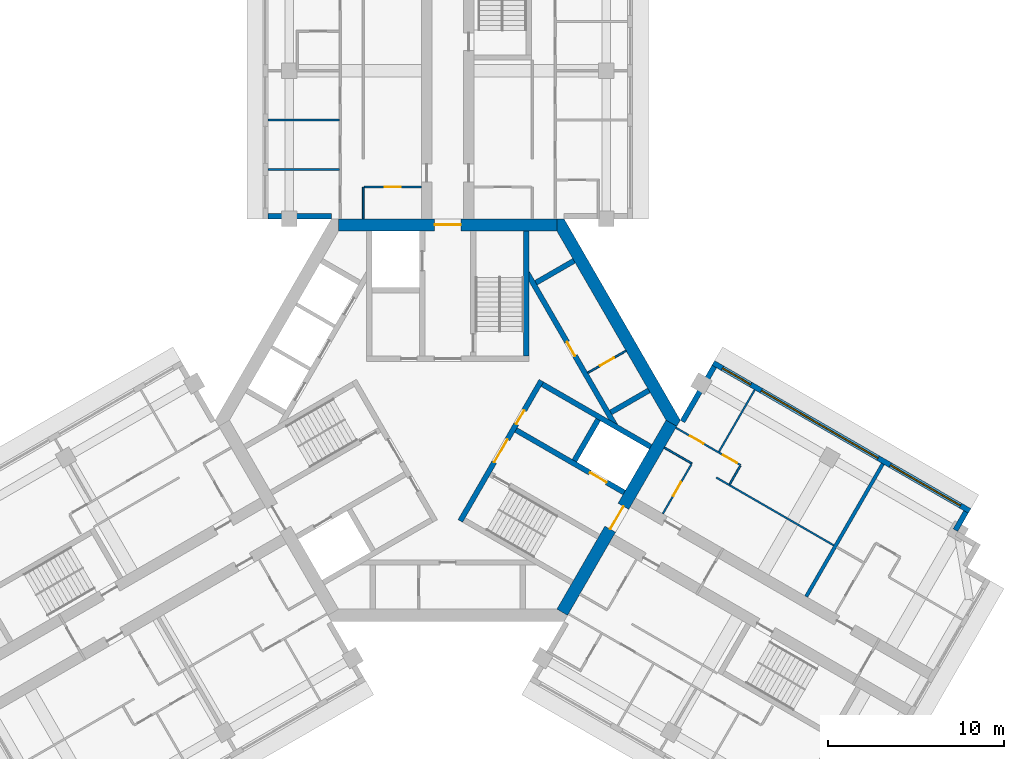
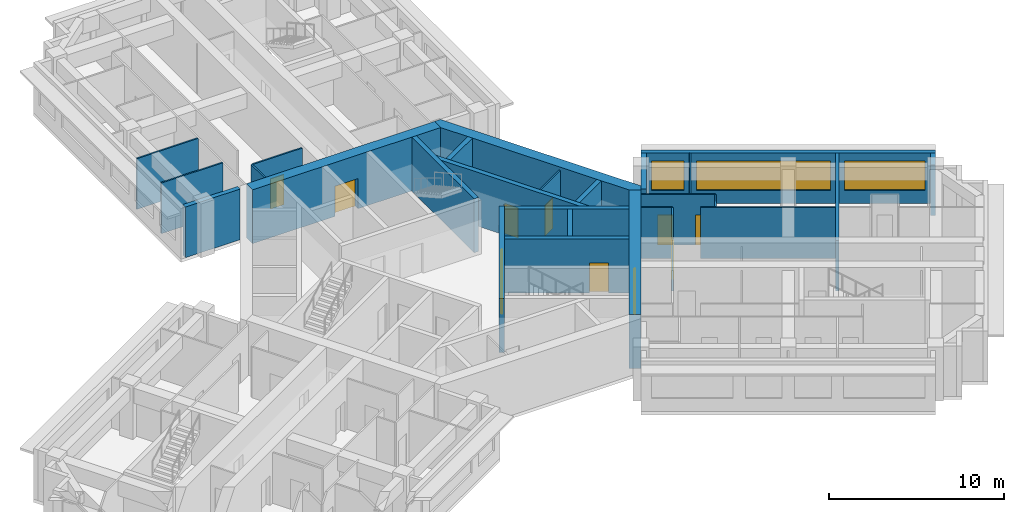
# One storey, part 6 of 10: 27 walls, 11 doors, 3 windows, 14 openings.
"""IFC4 building model written with IfcOpenShell, lengths in metres."""

from ifc_helpers import new_model, si_unit, direction, frame, frame_2d, origin, place, context, subcontext, project, spatial, polyline, rectangle, outline, extrude, material, layer, layer_set, type_object, element, fill, save


model = new_model("IFC4")

# Units and contexts
model_context = context("Model", 3, precision=1e-05, world=origin(), true_north=direction((0.0, 1.0)))
body_context = subcontext(model_context, "Body", "Model", "MODEL_VIEW")
ifc_project = project(units=[si_unit("LENGTHUNIT", "METRE"), si_unit("AREAUNIT", "SQUARE_METRE"), si_unit("VOLUMEUNIT", "CUBIC_METRE"), si_unit("PLANEANGLEUNIT", "RADIAN"), si_unit("MASSUNIT", "GRAM", prefix="KILO")], contexts=[model_context])

# Site, building, storey
site_placement = place(None, origin())
site = spatial("IfcSite", under=ifc_project, at=site_placement, CompositionType="ELEMENT")
building_placement = place(site_placement, origin())
building = spatial("IfcBuilding", under=site, at=building_placement, Name="Impinga Residences", CompositionType="ELEMENT")
storey_placement = place(building_placement, frame((0.0, 0.0, 252.25)))
storey = spatial("IfcBuildingStorey", under=building, at=storey_placement, Name="L63", CompositionType="ELEMENT", Elevation=252.25)

# Wall, opening, door
ifc_material_1 = material(Name="Concrete blockwork", Category="masonry")
ifc_layer_1 = layer(ifc_material_1, 0.10009765625)
ifc_layer_set_1 = layer_set([ifc_layer_1], Name="CP1 core room partition, blockwork 100")
wall_type_1 = type_object("IfcWallType", Name="CP1 core room partition, blockwork 100", PredefinedType="PARTITIONING", material=ifc_layer_set_1)
wall_1_placement = place(storey_placement, frame((7.95361328125, 2.686767578125, 0.0), z_axis=(0.0, 0.0, 1.0), x_axis=(0.866047370643, 0.499961950354, 0.0)))
wall_1 = element("IfcWall", 1, at=wall_1_placement, inside=storey, type_object=wall_type_1, Name="Core room partition, blockwork L63:CORE:mid:ZP1", PredefinedType="PARTITIONING", context=body_context, shape_type="SweptSolid", body=[
    extrude(rectangle(XDim=2.500244140625, YDim=0.10009765625, at=frame_2d((1.25, 0.0))), origin(), (0.0, 0.0, 1.0), 3.530029296875),
])
opening_1_placement = place(wall_1_placement, frame((0.800048828125, 0.0, 0.0)))
opening_1 = element("IfcOpeningElement", 2, at=opening_1_placement, cuts=wall_1, Name="Opening D6", PredefinedType="OPENING", context=body_context, shape_type="SweptSolid", body=[
    extrude(rectangle(XDim=0.89990234375, YDim=2.10009765625, at=frame_2d((0.449951171875, 1.050048828125))), frame((0.0, 0.06005859375, 0.0), z_axis=(0.0, -1.0, 0.0), x_axis=(1.0, 0.0, 0.0)), (0.0, 0.0, 1.0), 0.1201171875),
])
ifc_material_2 = material(Name="Timber door set", Category="wood")
door_type_1 = type_object("IfcDoorType", Name="D6 riser and store door 900x2100", OperationType="SINGLE_SWING_LEFT", PredefinedType="DOOR", material=ifc_material_2)
door_1_placement = place(opening_1_placement, origin())
door_1 = element("IfcDoor", 3, at=door_1_placement, inside=storey, type_object=door_type_1, Name="Residents' storage lockers door", OperationType="SINGLE_SWING_LEFT", OverallHeight=2.10009765625, OverallWidth=0.89990234375, PredefinedType="DOOR", context=body_context, shape_type="SweptSolid", body=[
    extrude(rectangle(XDim=0.89990234375, YDim=2.10009765625, at=frame_2d((0.449951171875, 1.050048828125))), frame((0.0, 0.02490234375, 0.0), z_axis=(0.0, -1.0, 0.0), x_axis=(1.0, 0.0, 0.0)), (0.0, 0.0, 1.0), 0.050048828125),
])
fill(opening_1, door_1)

# Walls
ifc_material_3 = material(Name="Terracotta rainscreen on blockwork", Category="masonry")
ifc_layer_2 = layer(ifc_material_3, 0.300048828125)
ifc_layer_set_2 = layer_set([ifc_layer_2], Name="EW1 external wall, terracotta rainscreen on blockwork 300")
wall_type_2 = type_object("IfcWallType", Name="EW1 external wall, terracotta rainscreen on blockwork 300", PredefinedType="SOLIDWALL", material=ifc_layer_set_2)
wall_2_placement = place(storey_placement, frame((-6.60009765625, 11.58154296875, 0.0), z_axis=(0.0, 0.0, 1.0), x_axis=(-1.0, 0.0, 0.0)))
element("IfcWall", 4, at=wall_2_placement, inside=storey, type_object=wall_type_2, Name="External wall EW1 L63", PredefinedType="SOLIDWALL", context=body_context, shape_type="SweptSolid", body=[
    extrude(rectangle(XDim=3.599853515625, YDim=0.300048828125, at=frame_2d((1.7998046875, 0.0))), origin(), (0.0, 0.0, 1.0), 3.530029296875),
])
wall_3_placement = place(storey_placement, frame((13.329833984375, -0.074951171875, 0.0), z_axis=(0.0, 0.0, 1.0), x_axis=(0.500012057535, 0.866018442252, 0.0)))
element("IfcWall", 5, at=wall_3_placement, inside=storey, type_object=wall_type_2, Name="External wall EW1 L63", PredefinedType="SOLIDWALL", context=body_context, shape_type="SweptSolid", body=[
    extrude(rectangle(XDim=3.60009765625, YDim=0.300048828125, at=frame_2d((1.800048828125, 0.0))), origin(), (0.0, 0.0, 1.0), 3.530029296875),
])

# Wall, openings, windows
wall_4_placement = place(storey_placement, frame((15.074951171875, 3.24755859375, 0.0), z_axis=(0.0, 0.0, 1.0), x_axis=(0.86602925447, -0.499993330357, 0.0)))
wall_4 = element("IfcWall", 6, at=wall_4_placement, inside=storey, type_object=wall_type_2, Name="External wall EW1 L63", PredefinedType="SOLIDWALL", context=body_context, shape_type="SweptSolid", body=[
    extrude(rectangle(XDim=16.800048828125, YDim=0.300048828125, at=frame_2d((8.39990234375, 0.0))), origin(), (0.0, 0.0, 1.0), 3.530029296875),
])
opening_2_placement = place(wall_4_placement, frame((0.60009765625, 0.0, 0.89990234375)))
opening_2 = element("IfcOpeningElement", 7, at=opening_2_placement, cuts=wall_4, Name="Opening W15", PredefinedType="OPENING", context=body_context, shape_type="SweptSolid", body=[
    extrude(rectangle(XDim=1.85009765625, YDim=2.050048828125, at=frame_2d((0.925048828125, 1.02490234375))), frame((0.0, 0.159912109375, 0.0), z_axis=(0.0, -1.0, 0.0), x_axis=(1.0, 0.0, 0.0)), (0.0, 0.0, 1.0), 0.320068359375),
])
opening_3_placement = place(wall_4_placement, frame((3.14990234375, 0.0, 0.89990234375)))
opening_3 = element("IfcOpeningElement", 8, at=opening_3_placement, cuts=wall_4, Name="Opening W13", PredefinedType="OPENING", context=body_context, shape_type="SweptSolid", body=[
    extrude(rectangle(XDim=7.64990234375, YDim=2.050048828125, at=frame_2d((3.824951171875, 1.02490234375))), frame((0.0, 0.159912109375, 0.0), z_axis=(0.0, -1.0, 0.0), x_axis=(1.0, 0.0, 0.0)), (0.0, 0.0, 1.0), 0.320068359375),
])
opening_4_placement = place(wall_4_placement, frame((11.60009765625, 0.0, 0.89990234375)))
opening_4 = element("IfcOpeningElement", 9, at=opening_4_placement, cuts=wall_4, Name="Opening W3", PredefinedType="OPENING", context=body_context, shape_type="SweptSolid", body=[
    extrude(rectangle(XDim=4.60009765625, YDim=2.050048828125, at=frame_2d((2.300048828125, 1.02490234375))), frame((0.0, 0.159912109375, 0.0), z_axis=(0.0, -1.0, 0.0), x_axis=(1.0, 0.0, 0.0)), (0.0, 0.0, 1.0), 0.320068359375),
])
ifc_material_4 = material(Name="Aluminium window, clear double glazing", Category="aluminium")
window_type_1 = type_object("IfcWindowType", Name="W13 ribbon window 7650x2050", PartitioningType="SINGLE_PANEL", PredefinedType="WINDOW", material=ifc_material_4)
window_1_placement = place(opening_3_placement, origin())
window_1 = element("IfcWindow", 10, at=window_1_placement, inside=storey, type_object=window_type_1, Name="Window L63", OverallHeight=2.050048828125, OverallWidth=7.64990234375, PartitioningType="SINGLE_PANEL", PredefinedType="WINDOW", context=body_context, shape_type="SweptSolid", body=[
    extrude(rectangle(XDim=7.64990234375, YDim=2.050048828125, at=frame_2d((3.824951171875, 1.02490234375))), frame((0.0, 0.030029296875, 0.0), z_axis=(0.0, -1.0, 0.0), x_axis=(1.0, 0.0, 0.0)), (0.0, 0.0, 1.0), 0.06005859375),
])
fill(opening_3, window_1)
window_type_2 = type_object("IfcWindowType", Name="W15 ribbon window 1850x2050", PartitioningType="SINGLE_PANEL", PredefinedType="WINDOW", material=ifc_material_4)
window_2_placement = place(opening_2_placement, origin())
window_2 = element("IfcWindow", 11, at=window_2_placement, inside=storey, type_object=window_type_2, Name="Window L63", OverallHeight=2.050048828125, OverallWidth=1.85009765625, PartitioningType="SINGLE_PANEL", PredefinedType="WINDOW", context=body_context, shape_type="SweptSolid", body=[
    extrude(rectangle(XDim=1.85009765625, YDim=2.050048828125, at=frame_2d((0.925048828125, 1.02490234375))), frame((0.0, 0.030029296875, 0.0), z_axis=(0.0, -1.0, 0.0), x_axis=(1.0, 0.0, 0.0)), (0.0, 0.0, 1.0), 0.06005859375),
])
fill(opening_2, window_2)
window_type_3 = type_object("IfcWindowType", Name="W3 ribbon window 4600x2050", PartitioningType="SINGLE_PANEL", PredefinedType="WINDOW", material=ifc_material_4)
window_3_placement = place(opening_4_placement, origin())
window_3 = element("IfcWindow", 12, at=window_3_placement, inside=storey, type_object=window_type_3, Name="Window L63", OverallHeight=2.050048828125, OverallWidth=4.60009765625, PartitioningType="SINGLE_PANEL", PredefinedType="WINDOW", context=body_context, shape_type="SweptSolid", body=[
    extrude(rectangle(XDim=4.60009765625, YDim=2.050048828125, at=frame_2d((2.300048828125, 1.02490234375))), frame((0.0, 0.030029296875, 0.0), z_axis=(0.0, -1.0, 0.0), x_axis=(1.0, 0.0, 0.0)), (0.0, 0.0, 1.0), 0.06005859375),
])
fill(opening_4, window_3)

# Walls
wall_5_placement = place(storey_placement, frame((29.41943359375, -5.207275390625, 0.0), z_axis=(0.0, 0.0, 1.0), x_axis=(-0.500033551112, -0.866006032174, 0.0)))
element("IfcWall", 13, at=wall_5_placement, inside=storey, type_object=wall_type_2, Name="External wall EW1 L63", PredefinedType="SOLIDWALL", context=body_context, shape_type="SweptSolid", body=[
    extrude(rectangle(XDim=1.2001953125, YDim=0.300048828125, at=frame_2d((0.60009765625, 0.0))), origin(), (0.0, 0.0, 1.0), 3.530029296875),
])
ifc_material_5 = material(Name="Gypsum board on steel studs", Category="steel")
ifc_layer_3 = layer(ifc_material_5, 0.10009765625)
ifc_layer_set_3 = layer_set([ifc_layer_3], Name="Gypsum board on steel studs")
wall_type_3 = type_object("IfcWallType", Name="IP1 partition 100", PredefinedType="PARTITIONING", material=ifc_layer_set_3)
wall_6_placement = place(storey_placement, frame((-4.800048828125, 11.431640625, 0.0), z_axis=(0.0, 0.0, 1.0), x_axis=(0.0, 1.0, 0.0)))
element("IfcWall", 14, at=wall_6_placement, inside=storey, type_object=wall_type_3, Name="Partition L63-NA1:DIV0", PredefinedType="PARTITIONING", context=body_context, shape_type="SweptSolid", body=[
    extrude(rectangle(XDim=1.7998046875, YDim=0.10009765625, at=frame_2d((0.89990234375, 0.0))), origin(), (0.0, 0.0, 1.0), 3.530029296875),
])

# Wall, opening, door
wall_7_placement = place(storey_placement, frame((-1.5, 13.2314453125, 0.0), z_axis=(0.0, 0.0, 1.0), x_axis=(-1.0, 0.0, 0.0)))
wall_7 = element("IfcWall", 15, at=wall_7_placement, inside=storey, type_object=wall_type_3, Name="Partition L63-NA1:IB1", PredefinedType="PARTITIONING", context=body_context, shape_type="SweptSolid", body=[
    extrude(rectangle(XDim=3.25, YDim=0.10009765625, at=frame_2d((1.625, 0.0))), origin(), (0.0, 0.0, 1.0), 3.530029296875),
])
opening_5_placement = place(wall_7_placement, frame((1.175048828125, 0.0, 0.0)))
opening_5 = element("IfcOpeningElement", 16, at=opening_5_placement, cuts=wall_7, Name="Opening D2", PredefinedType="OPENING", context=body_context, shape_type="SweptSolid", body=[
    extrude(rectangle(XDim=0.89990234375, YDim=2.10009765625, at=frame_2d((0.449951171875, 1.050048828125))), frame((0.0, 0.06005859375, 0.0), z_axis=(0.0, -1.0, 0.0), x_axis=(1.0, 0.0, 0.0)), (0.0, 0.0, 1.0), 0.1201171875),
])
door_type_2 = type_object("IfcDoorType", Name="D2 internal door 900x2100", OperationType="SINGLE_SWING_LEFT", PredefinedType="DOOR", material=ifc_material_2)
door_2_placement = place(opening_5_placement, origin())
door_2 = element("IfcDoor", 17, at=door_2_placement, inside=storey, type_object=door_type_2, Name="Apartment L63-NA1 bathroom door", OperationType="SINGLE_SWING_LEFT", OverallHeight=2.10009765625, OverallWidth=0.89990234375, PredefinedType="DOOR", context=body_context, shape_type="SweptSolid", body=[
    extrude(rectangle(XDim=0.89990234375, YDim=2.10009765625, at=frame_2d((0.449951171875, 1.050048828125))), frame((0.0, 0.02490234375, 0.0), z_axis=(0.0, -1.0, 0.0), x_axis=(1.0, 0.0, 0.0)), (0.0, 0.0, 1.0), 0.050048828125),
])
fill(opening_5, door_2)

# Walls
for number, where, z_axis, x_axis, name in (
    (18, (-6.14990234375, 14.2314453125, 0.0), (0.0, 0.0, 1.0), (-1.0, 0.0, 0.0), "Partition L63-NA1:OB1"),
    (19, (-6.14990234375, 17.031494140625, 0.0), (0.0, 0.0, 1.0), (-1.0, 0.0, 0.0), "Partition L63-NA1:OB2"),
):
    element("IfcWall", number, at=place(storey_placement, frame(where, z_axis=z_axis, x_axis=x_axis)), inside=storey, type_object=wall_type_3, Name=name, PredefinedType="PARTITIONING", context=body_context, shape_type="SweptSolid", body=[
        extrude(rectangle(XDim=4.050048828125, YDim=0.10009765625, at=frame_2d((2.02490234375, 0.0))), origin(), (0.0, 0.0, 1.0), 3.530029296875),
    ])
wall_8_placement = place(storey_placement, frame((12.300048828125, -1.558837890625, 0.0), z_axis=(0.0, 0.0, 1.0), x_axis=(0.866047807691, -0.499961193289, 0.0)))
element("IfcWall", 20, at=wall_8_placement, inside=storey, type_object=wall_type_3, Name="Partition L63-EA1:DIV0", PredefinedType="PARTITIONING", context=body_context, shape_type="SweptSolid", body=[
    extrude(rectangle(XDim=1.800048828125, YDim=0.10009765625, at=frame_2d((0.89990234375, 0.0))), origin(), (0.0, 0.0, 1.0), 3.530029296875),
])
wall_9_placement = place(storey_placement, frame((15.244384765625, -3.2587890625, 0.0), z_axis=(0.0, 0.0, 1.0), x_axis=(0.866021906294, -0.500006057782, 0.0)))
element("IfcWall", 21, at=wall_9_placement, inside=storey, type_object=wall_type_3, Name="Partition L63-EA1:DIV1", PredefinedType="PARTITIONING", context=body_context, shape_type="SweptSolid", body=[
    extrude(rectangle(XDim=7.7001953125, YDim=0.10009765625, at=frame_2d((3.85009765625, 0.0))), origin(), (0.0, 0.0, 1.0), 3.530029296875),
])

# Wall, openings, doors
wall_10_placement = place(storey_placement, frame((12.949951171875, -0.43310546875, 0.0), z_axis=(0.0, 0.0, 1.0), x_axis=(0.866028703517, -0.499994284652, 0.0)))
wall_10 = element("IfcWall", 22, at=wall_10_placement, inside=storey, type_object=wall_type_3, Name="Partition L63-EA1:STRIP", PredefinedType="PARTITIONING", context=body_context, shape_type="SweptSolid", body=[
    extrude(rectangle(XDim=4.25, YDim=0.10009765625, at=frame_2d((2.125, 0.0))), origin(), (0.0, 0.0, 1.0), 3.530029296875),
])
opening_6_placement = place(wall_10_placement, frame((0.925048828125, 0.0, 0.0)))
opening_6 = element("IfcOpeningElement", 23, at=opening_6_placement, cuts=wall_10, Name="Opening D2", PredefinedType="OPENING", context=body_context, shape_type="SweptSolid", body=[
    extrude(rectangle(XDim=0.89990234375, YDim=2.10009765625, at=frame_2d((0.449951171875, 1.050048828125))), frame((0.0, 0.06005859375, 0.0), z_axis=(0.0, -1.0, 0.0), x_axis=(1.0, 0.0, 0.0)), (0.0, 0.0, 1.0), 0.1201171875),
])
opening_7_placement = place(wall_10_placement, frame((3.10009765625, 0.0, 0.0)))
opening_7 = element("IfcOpeningElement", 24, at=opening_7_placement, cuts=wall_10, Name="Opening D2", PredefinedType="OPENING", context=body_context, shape_type="SweptSolid", body=[
    extrude(rectangle(XDim=0.89990234375, YDim=2.10009765625, at=frame_2d((0.449951171875, 1.050048828125))), frame((0.0, 0.06005859375, 0.0), z_axis=(0.0, -1.0, 0.0), x_axis=(1.0, 0.0, 0.0)), (0.0, 0.0, 1.0), 0.1201171875),
])
door_3_placement = place(opening_6_placement, origin())
door_3 = element("IfcDoor", 25, at=door_3_placement, inside=storey, type_object=door_type_2, Name="Apartment L63-EA1 room door", OperationType="SINGLE_SWING_LEFT", OverallHeight=2.10009765625, OverallWidth=0.89990234375, PredefinedType="DOOR", context=body_context, shape_type="SweptSolid", body=[
    extrude(rectangle(XDim=0.89990234375, YDim=2.10009765625, at=frame_2d((0.449951171875, 1.050048828125))), frame((0.0, 0.02490234375, 0.0), z_axis=(0.0, -1.0, 0.0), x_axis=(1.0, 0.0, 0.0)), (0.0, 0.0, 1.0), 0.050048828125),
])
fill(opening_6, door_3)
door_4_placement = place(opening_7_placement, origin())
door_4 = element("IfcDoor", 26, at=door_4_placement, inside=storey, type_object=door_type_2, Name="Apartment L63-EA1 room door", OperationType="SINGLE_SWING_RIGHT", OverallHeight=2.10009765625, OverallWidth=0.89990234375, PredefinedType="DOOR", context=body_context, shape_type="SweptSolid", body=[
    extrude(rectangle(XDim=0.89990234375, YDim=2.10009765625, at=frame_2d((0.449951171875, 1.050048828125))), frame((0.0, 0.02490234375, 0.0), z_axis=(0.0, -1.0, 0.0), x_axis=(1.0, 0.0, 0.0)), (0.0, 0.0, 1.0), 0.050048828125),
])
fill(opening_7, door_4)

# Wall
wall_11_placement = place(storey_placement, frame((16.005615234375, -3.640625, 0.0), z_axis=(0.0, 0.0, 1.0), x_axis=(0.500033551112, 0.866006032174, 0.0)))
element("IfcWall", 27, at=wall_11_placement, inside=storey, type_object=wall_type_3, Name="Partition L63-EA1:SE1", PredefinedType="PARTITIONING", context=body_context, shape_type="SweptSolid", body=[
    extrude(rectangle(XDim=1.2001953125, YDim=0.10009765625, at=frame_2d((0.60009765625, 0.0))), origin(), (0.0, 0.0, 1.0), 3.530029296875),
])

# Wall, opening, door
wall_12_placement = place(storey_placement, frame((12.208740234375, -5.316650390625, 0.0), z_axis=(0.0, 0.0, 1.0), x_axis=(0.500017246033, 0.866015446554, 0.0)))
wall_12 = element("IfcWall", 28, at=wall_12_placement, inside=storey, type_object=wall_type_3, Name="Partition L63-EA1:IB1", PredefinedType="PARTITIONING", context=body_context, shape_type="SweptSolid", body=[
    extrude(rectangle(XDim=3.25, YDim=0.10009765625, at=frame_2d((1.625, 0.0))), origin(), (0.0, 0.0, 1.0), 3.530029296875),
])
opening_8_placement = place(wall_12_placement, frame((1.175048828125, 0.0, 0.0)))
opening_8 = element("IfcOpeningElement", 29, at=opening_8_placement, cuts=wall_12, Name="Opening D2", PredefinedType="OPENING", context=body_context, shape_type="SweptSolid", body=[
    extrude(rectangle(XDim=0.89990234375, YDim=2.10009765625, at=frame_2d((0.449951171875, 1.050048828125))), frame((0.0, 0.06005859375, 0.0), z_axis=(0.0, -1.0, 0.0), x_axis=(1.0, 0.0, 0.0)), (0.0, 0.0, 1.0), 0.1201171875),
])
door_5_placement = place(opening_8_placement, origin())
door_5 = element("IfcDoor", 30, at=door_5_placement, inside=storey, type_object=door_type_2, Name="Apartment L63-EA1 bathroom door", OperationType="SINGLE_SWING_LEFT", OverallHeight=2.10009765625, OverallWidth=0.89990234375, PredefinedType="DOOR", context=body_context, shape_type="SweptSolid", body=[
    extrude(rectangle(XDim=0.89990234375, YDim=2.10009765625, at=frame_2d((0.449951171875, 1.050048828125))), frame((0.0, 0.02490234375, 0.0), z_axis=(0.0, -1.0, 0.0), x_axis=(1.0, 0.0, 0.0)), (0.0, 0.0, 1.0), 0.050048828125),
])
fill(opening_8, door_5)

# Walls
wall_13_placement = place(storey_placement, frame((15.39990234375, -1.789794921875, 0.0), z_axis=(0.0, 0.0, 1.0), x_axis=(0.499964223975, 0.866046058097, 0.0)))
element("IfcWall", 31, at=wall_13_placement, inside=storey, type_object=wall_type_3, Name="Partition L63-EA1:OB1", PredefinedType="PARTITIONING", context=body_context, shape_type="SweptSolid", body=[
    extrude(rectangle(XDim=4.050048828125, YDim=0.10009765625, at=frame_2d((2.02490234375, 0.0))), origin(), (0.0, 0.0, 1.0), 3.530029296875),
])
ifc_layer_4 = layer(ifc_material_1, 0.199951171875)
ifc_layer_set_4 = layer_set([ifc_layer_4], Name="PW1 party wall between apartments 200")
wall_type_4 = type_object("IfcWallType", Name="PW1 party wall between apartments 200", PredefinedType="SOLIDWALL", material=ifc_layer_set_4)
wall_14_placement = place(storey_placement, frame((20.349365234375, -10.016845703125, 0.0), z_axis=(0.0, 0.0, 1.0), x_axis=(0.500008278454, 0.866020624164, 0.0)))
element("IfcWall", 32, at=wall_14_placement, inside=storey, type_object=wall_type_4, Name="Party wall between apartments L63-EA1:PARTY", PredefinedType="SOLIDWALL", context=body_context, shape_type="SweptSolid", body=[
    extrude(rectangle(XDim=8.699951171875, YDim=0.199951171875, at=frame_2d((4.35009765625, 0.0))), origin(), (0.0, 0.0, 1.0), 3.530029296875),
])

# Wall, opening, door
ifc_material_6 = material(Name="Concrete C60/75", Category="concrete")
ifc_layer_5 = layer(ifc_material_6, 0.699951171875)
ifc_layer_set_5 = layer_set([ifc_layer_5], Name="Concrete C60/75")
wall_type_5 = type_object("IfcWallType", Name="SW3 core wall 700", PredefinedType="SHEAR", material=ifc_layer_set_5)
wall_15_placement = place(storey_placement, frame((-6.19580078125, 11.08154296875, 0.0), z_axis=(0.0, 0.0, 1.0), x_axis=(1.0, 0.0, 0.0)))
wall_15 = element("IfcWall", 33, at=wall_15_placement, inside=storey, type_object=wall_type_5, Name="Core wall SW3 N:FACE L63", PredefinedType="SHEAR", context=body_context, shape_type="SweptSolid", body=[
    extrude(rectangle(XDim=12.3916015625, YDim=0.699951171875, at=frame_2d((6.19580078125, 0.0))), origin(), (0.0, 0.0, 1.0), 3.75),
])
opening_9_placement = place(wall_15_placement, frame((5.44580078125, 0.0, 0.0)))
opening_9 = element("IfcOpeningElement", 34, at=opening_9_placement, cuts=wall_15, Name="Opening D4", PredefinedType="OPENING", context=body_context, shape_type="SweptSolid", body=[
    extrude(rectangle(XDim=1.5, YDim=2.10009765625, at=frame_2d((0.75, 1.050048828125))), frame((0.0, 0.35986328125, 0.0), z_axis=(0.0, -1.0, 0.0), x_axis=(1.0, 0.0, 0.0)), (0.0, 0.0, 1.0), 0.719970703125),
])
door_type_3 = type_object("IfcDoorType", Name="D4 lobby door pair 1500x2100", OperationType="DOUBLE_DOOR_DOUBLE_SWING", PredefinedType="DOOR", material=ifc_material_2)
door_6_placement = place(opening_9_placement, origin())
door_6 = element("IfcDoor", 35, at=door_6_placement, inside=storey, type_object=door_type_3, Name="Lobby door N", OperationType="DOUBLE_DOOR_DOUBLE_SWING", OverallHeight=2.10009765625, OverallWidth=1.5, PredefinedType="DOOR", context=body_context, shape_type="SweptSolid", body=[
    extrude(rectangle(XDim=1.5, YDim=2.10009765625, at=frame_2d((0.75, 1.050048828125))), frame((0.0, 0.02490234375, 0.0), z_axis=(0.0, -1.0, 0.0), x_axis=(1.0, 0.0, 0.0)), (0.0, 0.0, 1.0), 0.050048828125),
])
fill(opening_9, door_6)

wall_16_placement = place(storey_placement, frame((12.69482421875, -0.175048828125, 0.0), z_axis=(0.0, 0.0, 1.0), x_axis=(-0.499999875397, -0.866025475724, 0.0)))
wall_16 = element("IfcWall", 36, at=wall_16_placement, inside=storey, type_object=wall_type_5, Name="Core wall SW3 E:FACE L63", PredefinedType="SHEAR", context=body_context, shape_type="SweptSolid", body=[
    extrude(rectangle(XDim=12.3916015625, YDim=0.699951171875, at=frame_2d((6.19580078125, 0.0))), origin(), (0.0, 0.0, 1.0), 3.75),
])
opening_10_placement = place(wall_16_placement, frame((5.44580078125, 0.0, 0.0)))
opening_10 = element("IfcOpeningElement", 37, at=opening_10_placement, cuts=wall_16, Name="Opening D4", PredefinedType="OPENING", context=body_context, shape_type="SweptSolid", body=[
    extrude(rectangle(XDim=1.5, YDim=2.10009765625, at=frame_2d((0.75, 1.050048828125))), frame((0.0, 0.35986328125, 0.0), z_axis=(0.0, -1.0, 0.0), x_axis=(1.0, 0.0, 0.0)), (0.0, 0.0, 1.0), 0.719970703125),
])
door_7_placement = place(opening_10_placement, origin())
door_7 = element("IfcDoor", 38, at=door_7_placement, inside=storey, type_object=door_type_3, Name="Lobby door E", OperationType="DOUBLE_DOOR_DOUBLE_SWING", OverallHeight=2.10009765625, OverallWidth=1.5, PredefinedType="DOOR", context=body_context, shape_type="SweptSolid", body=[
    extrude(rectangle(XDim=1.5, YDim=2.10009765625, at=frame_2d((0.75, 1.050048828125))), frame((0.0, 0.02490234375, 0.0), z_axis=(0.0, -1.0, 0.0), x_axis=(1.0, 0.0, 0.0)), (0.0, 0.0, 1.0), 0.050048828125),
])
fill(opening_10, door_7)

# Walls
wall_17_placement = place(storey_placement, origin())
element("IfcWall", 39, at=wall_17_placement, inside=storey, type_object=wall_type_5, Name="Core wall SW3 W:EXPOSED L63", PredefinedType="SHEAR", context=body_context, shape_type="SweptSolid", body=[
    extrude(outline(polyline([(13.199951171875, 0.0), (6.60009765625, 11.431640625), (6.19580078125, 11.431640625), (6.19580078125, 10.7314453125), (12.3916015625, 0.0), (12.998046875, -0.35009765625), (13.199951171875, 0.0)])), origin(), (0.0, 0.0, 1.0), 3.75),
])
ifc_material_7 = material(Name="Concrete C70/85", Category="concrete")
ifc_layer_6 = layer(ifc_material_7, 0.300048828125)
ifc_layer_set_6 = layer_set([ifc_layer_6], Name="Concrete C70/85")
wall_type_6 = type_object("IfcWallType", Name="SW5 core inner wall, stairs, shafts and lobbies 300", PredefinedType="SHEAR", material=ifc_layer_set_6)
wall_18_placement = place(storey_placement, frame((4.449951171875, 3.6298828125, 0.0), z_axis=(0.0, 0.0, 1.0), x_axis=(0.0, 1.0, 0.0)))
element("IfcWall", 40, at=wall_18_placement, inside=storey, type_object=wall_type_6, Name="Core wall SW5 N:ST-OUT L63", PredefinedType="SHEAR", context=body_context, shape_type="SweptSolid", body=[
    extrude(rectangle(XDim=7.1015625, YDim=0.300048828125, at=frame_2d((3.55078125, 0.0))), origin(), (0.0, 0.0, 1.0), 3.75),
])

# Wall, openings, doors
wall_19_placement = place(storey_placement, frame((5.313720703125, 2.24365234375, 0.0), z_axis=(0.0, 0.0, 1.0), x_axis=(-0.499995050369, -0.866028261437, 0.0)))
wall_19 = element("IfcWall", 41, at=wall_19_placement, inside=storey, type_object=wall_type_6, Name="Core wall SW5 E:ZONE L63", PredefinedType="SHEAR", context=body_context, shape_type="SweptSolid", body=[
    extrude(rectangle(XDim=9.19970703125, YDim=0.300048828125, at=frame_2d((4.599853515625, 0.0))), origin(), (0.0, 0.0, 1.0), 3.75),
])
opening_11_placement = place(wall_19_placement, frame((3.85009765625, 0.0, 0.0)))
opening_11 = element("IfcOpeningElement", 42, at=opening_11_placement, cuts=wall_19, Name="Opening D4", PredefinedType="OPENING", context=body_context, shape_type="SweptSolid", body=[
    extrude(rectangle(XDim=1.5, YDim=2.10009765625, at=frame_2d((0.75, 1.050048828125))), frame((0.0, 0.159912109375, 0.0), z_axis=(0.0, -1.0, 0.0), x_axis=(1.0, 0.0, 0.0)), (0.0, 0.0, 1.0), 0.320068359375),
])
opening_12_placement = place(wall_19_placement, frame((1.949951171875, 0.0, 0.0)))
opening_12 = element("IfcOpeningElement", 43, at=opening_12_placement, cuts=wall_19, Name="Opening D6", PredefinedType="OPENING", context=body_context, shape_type="SweptSolid", body=[
    extrude(rectangle(XDim=0.89990234375, YDim=2.10009765625, at=frame_2d((0.449951171875, 1.050048828125))), frame((0.0, 0.159912109375, 0.0), z_axis=(0.0, -1.0, 0.0), x_axis=(1.0, 0.0, 0.0)), (0.0, 0.0, 1.0), 0.320068359375),
])
door_8_placement = place(opening_11_placement, origin())
door_8 = element("IfcDoor", 44, at=door_8_placement, inside=storey, type_object=door_type_3, Name="Firefighting lobby door E", OperationType="DOUBLE_DOOR_DOUBLE_SWING", OverallHeight=2.10009765625, OverallWidth=1.5, PredefinedType="DOOR", context=body_context, shape_type="SweptSolid", body=[
    extrude(rectangle(XDim=1.5, YDim=2.10009765625, at=frame_2d((0.75, 1.050048828125))), frame((0.0, 0.02490234375, 0.0), z_axis=(0.0, -1.0, 0.0), x_axis=(1.0, 0.0, 0.0)), (0.0, 0.0, 1.0), 0.050048828125),
])
fill(opening_11, door_8)
door_9_placement = place(opening_12_placement, origin())
door_9 = element("IfcDoor", 45, at=door_9_placement, inside=storey, type_object=door_type_1, Name="Riser door E", OperationType="SINGLE_SWING_LEFT", OverallHeight=2.10009765625, OverallWidth=0.89990234375, PredefinedType="DOOR", context=body_context, shape_type="SweptSolid", body=[
    extrude(rectangle(XDim=0.89990234375, YDim=2.10009765625, at=frame_2d((0.449951171875, 1.050048828125))), frame((0.0, 0.02490234375, 0.0), z_axis=(0.0, -1.0, 0.0), x_axis=(1.0, 0.0, 0.0)), (0.0, 0.0, 1.0), 0.050048828125),
])
fill(opening_12, door_9)

# Wall, opening, door
wall_20_placement = place(storey_placement, frame((3.86865234375, -0.559326171875, 0.0), z_axis=(0.0, 0.0, 1.0), x_axis=(0.866025859768, -0.499999210213, 0.0)))
wall_20 = element("IfcWall", 46, at=wall_20_placement, inside=storey, type_object=wall_type_6, Name="Core wall SW5 E:FF-IN L63", PredefinedType="SHEAR", context=body_context, shape_type="SweptSolid", body=[
    extrude(rectangle(XDim=7.1015625, YDim=0.300048828125, at=frame_2d((3.55078125, 0.0))), origin(), (0.0, 0.0, 1.0), 3.75),
])
opening_13_placement = place(wall_20_placement, frame((4.85009765625, 0.0, 0.0)))
opening_13 = element("IfcOpeningElement", 47, at=opening_13_placement, cuts=wall_20, Name="Opening LD2", PredefinedType="OPENING", context=body_context, shape_type="SweptSolid", body=[
    extrude(rectangle(XDim=1.10009765625, YDim=2.10009765625, at=frame_2d((0.550048828125, 1.050048828125))), frame((0.0, 0.159912109375, 0.0), z_axis=(0.0, -1.0, 0.0), x_axis=(1.0, 0.0, 0.0)), (0.0, 0.0, 1.0), 0.320068359375),
])
ifc_material_8 = material(Name="Steel lift landing door", Category="steel")
door_type_4 = type_object("IfcDoorType", Name="LD2 firefighting lift landing door 1100x2100", OperationType="DOUBLE_DOOR_SLIDING", PredefinedType="DOOR", material=ifc_material_8)
door_10_placement = place(opening_13_placement, origin())
door_10 = element("IfcDoor", 48, at=door_10_placement, inside=storey, type_object=door_type_4, Name="Firefighting lift landing door F3", OperationType="DOUBLE_DOOR_SLIDING", OverallHeight=2.10009765625, OverallWidth=1.10009765625, PredefinedType="DOOR", context=body_context, shape_type="SweptSolid", body=[
    extrude(rectangle(XDim=1.10009765625, YDim=2.10009765625, at=frame_2d((0.550048828125, 1.050048828125))), frame((0.0, 0.02490234375, 0.0), z_axis=(0.0, -1.0, 0.0), x_axis=(1.0, 0.0, 0.0)), (0.0, 0.0, 1.0), 0.050048828125),
])
fill(opening_13, door_10)

# Walls
wall_21_placement = place(storey_placement, frame((5.36865234375, 2.038818359375, 0.0), z_axis=(0.0, 0.0, 1.0), x_axis=(0.866025859768, -0.499999210213, 0.0)))
element("IfcWall", 49, at=wall_21_placement, inside=storey, type_object=wall_type_6, Name="Core wall SW5 E:FF-OUT L63", PredefinedType="SHEAR", context=body_context, shape_type="SweptSolid", body=[
    extrude(rectangle(XDim=7.1015625, YDim=0.300048828125, at=frame_2d((3.55078125, 0.0))), origin(), (0.0, 0.0, 1.0), 3.75),
])
wall_22_placement = place(storey_placement, frame((8.541259765625, 0.033935546875, 0.0), z_axis=(0.0, 0.0, 1.0), x_axis=(-0.50000943426, -0.866019956843, 0.0)))
element("IfcWall", 50, at=wall_22_placement, inside=storey, type_object=wall_type_6, Name="Core wall SW5 E:FF-RS L63", PredefinedType="SHEAR", context=body_context, shape_type="SweptSolid", body=[
    extrude(rectangle(XDim=2.7001953125, YDim=0.300048828125, at=frame_2d((1.35009765625, 0.0))), origin(), (0.0, 0.0, 1.0), 3.75),
])

# Wall, opening, door
wall_23_placement = place(storey_placement, frame((4.449951171875, 8.455322265625, 0.0), z_axis=(0.0, 0.0, 1.0), x_axis=(0.500002290144, -0.866024081565, 0.0)))
wall_23 = element("IfcWall", 51, at=wall_23_placement, inside=storey, type_object=wall_type_6, Name="Core wall SW5 W:BANK-FRONT L63", PredefinedType="SHEAR", context=body_context, shape_type="SweptSolid", body=[
    extrude(rectangle(XDim=10.1953125, YDim=0.300048828125, at=frame_2d((5.09765625, 0.0))), origin(), (0.0, 0.0, 1.0), 3.75),
])
opening_14_placement = place(wall_23_placement, frame((4.647705078125, 0.0, 0.0)))
opening_14 = element("IfcOpeningElement", 52, at=opening_14_placement, cuts=wall_23, Name="Opening D6", PredefinedType="OPENING", context=body_context, shape_type="SweptSolid", body=[
    extrude(rectangle(XDim=0.89990234375, YDim=2.10009765625, at=frame_2d((0.449951171875, 1.050048828125))), frame((0.0, 0.159912109375, 0.0), z_axis=(0.0, -1.0, 0.0), x_axis=(1.0, 0.0, 0.0)), (0.0, 0.0, 1.0), 0.320068359375),
])
door_11_placement = place(opening_14_placement, origin())
door_11 = element("IfcDoor", 53, at=door_11_placement, inside=storey, type_object=door_type_1, Name="Residents' study door", OperationType="SINGLE_SWING_RIGHT", OverallHeight=2.10009765625, OverallWidth=0.89990234375, PredefinedType="DOOR", context=body_context, shape_type="SweptSolid", body=[
    extrude(rectangle(XDim=0.89990234375, YDim=2.10009765625, at=frame_2d((0.449951171875, 1.050048828125))), frame((0.0, 0.02490234375, 0.0), z_axis=(0.0, -1.0, 0.0), x_axis=(1.0, 0.0, 0.0)), (0.0, 0.0, 1.0), 0.050048828125),
])
fill(opening_14, door_11)

# Walls
for number, where, z_axis, x_axis, name in (
    (54, (5.003662109375, 7.79638671875, 0.0), (0.0, 0.0, 1.0), (0.866022959057, 0.500004234368, 0.0), "Core wall SW5 W:BANK-L L63"),
    (55, (9.253662109375, 0.43505859375, 0.0), (0.0, 0.0, 1.0), (0.866022959057, 0.500004234368, 0.0), "Core wall SW5 W:BANK-R L63"),
):
    element("IfcWall", number, at=place(storey_placement, frame(where, z_axis=z_axis, x_axis=x_axis)), inside=storey, type_object=wall_type_6, Name=name, PredefinedType="SHEAR", context=body_context, shape_type="SweptSolid", body=[
        extrude(rectangle(XDim=2.5, YDim=0.300048828125, at=frame_2d((1.25, 0.0))), origin(), (0.0, 0.0, 1.0), 3.75),
    ])

save(model, "model.ifc")
